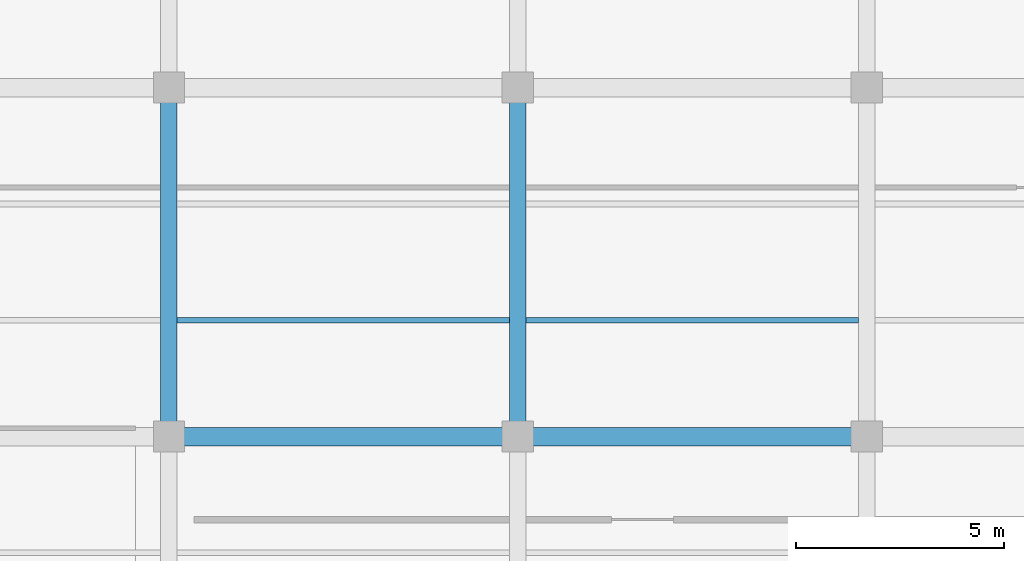
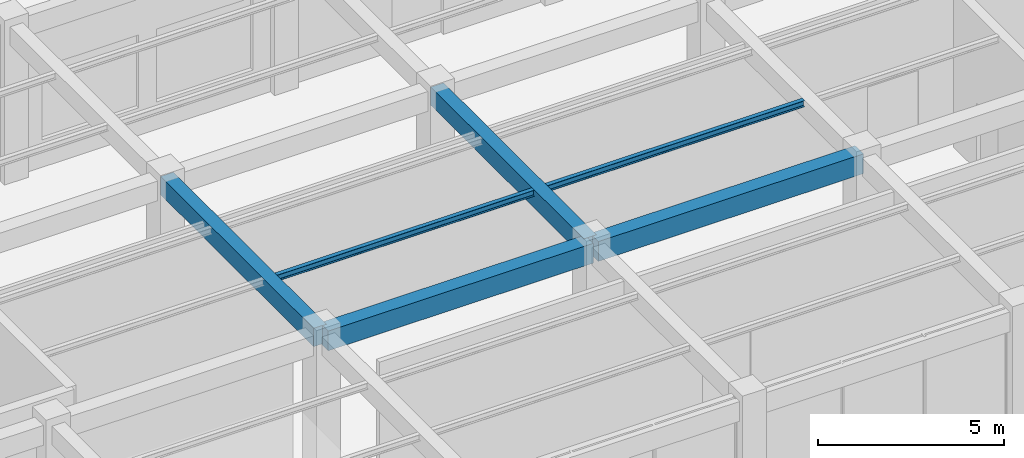
# One storey, part 14 of 157: 6 beams.
"""IFC4 building model written with IfcOpenShell, lengths in metres."""

from ifc_helpers import new_model, si_unit, direction, frame, origin, origin_2d, place, context, subcontext, project, spatial, rectangle, i_section, extrude, material, material_profile, profile_set, type_object, element, save


model = new_model("IFC4")

# Units and contexts
model_context = context("Model", 3, precision=1e-05, world=origin(), true_north=direction((0.0, 1.0)))
body_context = subcontext(model_context, "Body", "Model", "MODEL_VIEW")
ifc_project = project(units=[si_unit("LENGTHUNIT", "METRE"), si_unit("AREAUNIT", "SQUARE_METRE"), si_unit("VOLUMEUNIT", "CUBIC_METRE"), si_unit("PLANEANGLEUNIT", "RADIAN"), si_unit("MASSUNIT", "GRAM", prefix="KILO"), si_unit("THERMODYNAMICTEMPERATUREUNIT", "KELVIN"), si_unit("POWERUNIT", "WATT")], contexts=[model_context])

# Site, building, storey
site_placement = place(None, origin())
site = spatial("IfcSite", under=ifc_project, at=site_placement, CompositionType="ELEMENT")
building_placement = place(site_placement, origin())
building = spatial("IfcBuilding", under=site, at=building_placement, Name="Darbajah Civic Hall", CompositionType="ELEMENT")
storey_placement = place(building_placement, origin())
storey = spatial("IfcBuildingStorey", under=building, at=storey_placement, Name="L00", CompositionType="ELEMENT", Elevation=0.0)

# Beams
ifc_material_1 = material(Name="Concrete C45/55", Category="concrete")
ifc_material_profile_1 = material_profile(ifc_material_1, rectangle(XDim=0.39990234375, YDim=0.60009765625, at=origin_2d()), Name="RC BEAM 400x600")
ifc_profile_set_1 = profile_set([ifc_material_profile_1], Name="Concrete C45/55")
beam_type_1 = type_object("IfcBeamType", Name="RC BEAM 400x600", PredefinedType="BEAM", material=ifc_profile_set_1)
for number, where, z_axis, x_axis, name in (
    (1, (16.800048828125, 25.280029296875, 4.840087890625), (0.0, 1.0, 0.0), (-1.0, 0.0, 0.0), "L00 beam BM-4060"),
    (2, (25.199951171875, 25.280029296875, 4.840087890625), (0.0, 1.0, 0.0), (-1.0, 0.0, 0.0), "L00 beam BM-4060"),
):
    element("IfcBeam", number, at=place(storey_placement, frame(where, z_axis=z_axis, x_axis=x_axis)), inside=storey, type_object=beam_type_1, Name=name, PredefinedType="BEAM", context=body_context, shape_type="SweptSolid", body=[
        extrude(rectangle(XDim=0.39990234375, YDim=0.60009765625, at=origin_2d()), origin(), (0.0, 0.0, 1.0), 8.239990234375),
    ])
ifc_material_profile_2 = material_profile(ifc_material_1, rectangle(XDim=0.449951171875, YDim=0.64990234375, at=origin_2d()), Name="RC BEAM 450x650")
ifc_profile_set_2 = profile_set([ifc_material_profile_2], Name="Concrete C45/55")
beam_type_2 = type_object("IfcBeamType", Name="RC BEAM 450x650", PredefinedType="BEAM", material=ifc_profile_set_2)
beam_1_placement = place(storey_placement, frame((16.8798828125, 25.199951171875, 4.81494140625), z_axis=(1.0, 0.0, 0.0), x_axis=(0.0, 1.0, 0.0)))
element("IfcBeam", 3, at=beam_1_placement, inside=storey, type_object=beam_type_2, Name="L00 beam BM-4565", PredefinedType="BEAM", context=body_context, shape_type="SweptSolid", body=[
    extrude(rectangle(XDim=0.449951171875, YDim=0.64990234375, at=origin_2d()), origin(), (0.0, 0.0, 1.0), 8.240234375),
])
beam_2_placement = place(storey_placement, frame((25.280029296875, 25.199951171875, 4.81494140625), z_axis=(1.0, 0.0, 0.0), x_axis=(0.0, 1.0, 0.0)))
element("IfcBeam", 4, at=beam_2_placement, inside=storey, type_object=beam_type_2, Name="L00 beam BM-4565", PredefinedType="BEAM", context=body_context, shape_type="SweptSolid", body=[
    extrude(rectangle(XDim=0.449951171875, YDim=0.64990234375, at=origin_2d()), origin(), (0.0, 0.0, 1.0), 8.239990234375),
])
ifc_material_2 = material(Name="Steel S355JR", Category="steel")
ifc_material_profile_3 = material_profile(ifc_material_2, i_section(OverallWidth=0.1337890625, OverallDepth=0.206787109375, WebThickness=0.00634765625, FlangeThickness=0.009521484375, FilletRadius=0.007568359375, at=origin_2d()), Name="UB 203x133x30")
ifc_profile_set_3 = profile_set([ifc_material_profile_3], Name="Steel S355JR")
beam_type_3 = type_object("IfcBeamType", Name="UB 203x133x30", PredefinedType="JOIST", material=ifc_profile_set_3)
for number, where, z_axis, x_axis, name in (
    (5, (17.0, 28.0, 5.03662109375), (1.0, 0.0, 0.0), (0.0, 1.0, 0.0), "L00 beam SJ-203"),
    (6, (25.39990234375, 28.0, 5.03662109375), (1.0, 0.0, 0.0), (0.0, 1.0, 0.0), "L00 beam SJ-203"),
):
    element("IfcBeam", number, at=place(storey_placement, frame(where, z_axis=z_axis, x_axis=x_axis)), inside=storey, type_object=beam_type_3, Name=name, PredefinedType="JOIST", context=body_context, shape_type="SweptSolid", body=[
        extrude(i_section(OverallWidth=0.1337890625, OverallDepth=0.206787109375, WebThickness=0.00634765625, FlangeThickness=0.009521484375, FilletRadius=0.007568359375, at=origin_2d()), origin(), (0.0, 0.0, 1.0), 8.0),
    ])

save(model, "model.ifc")
